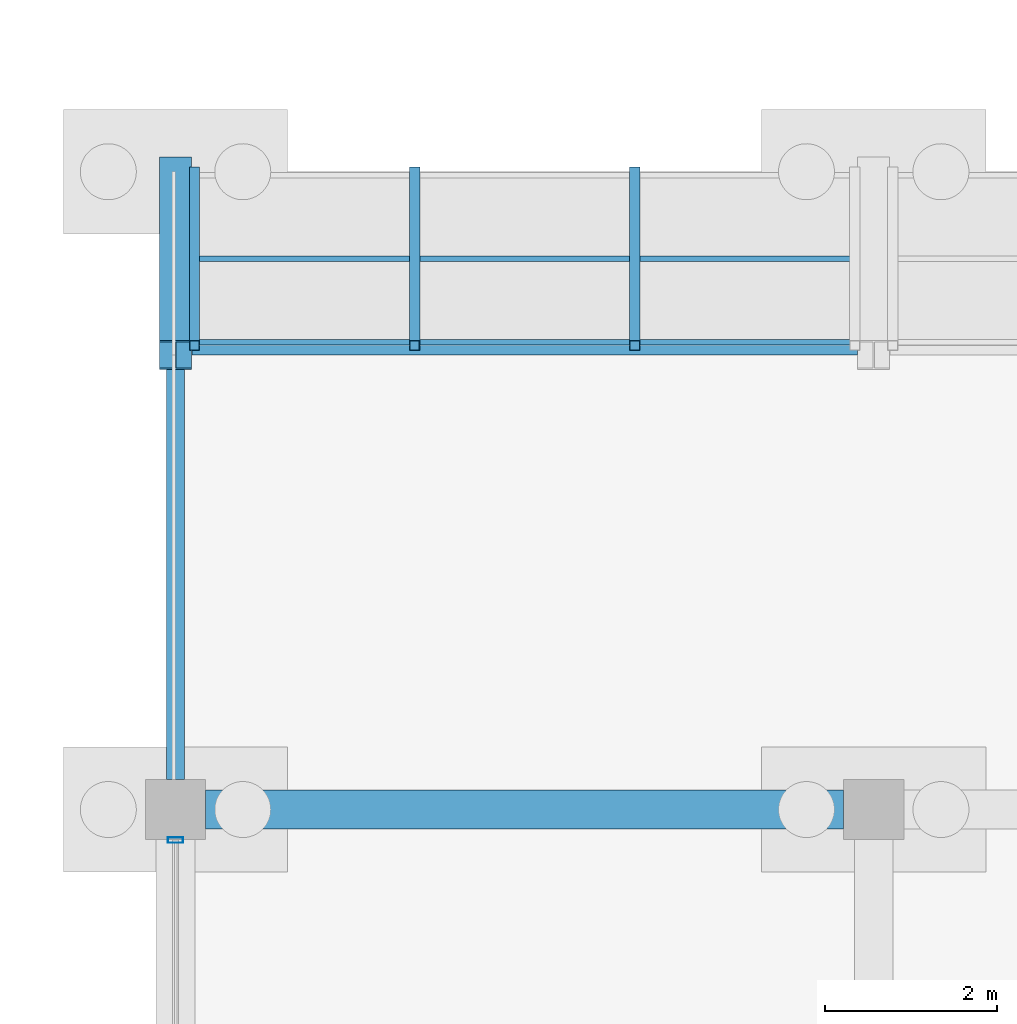
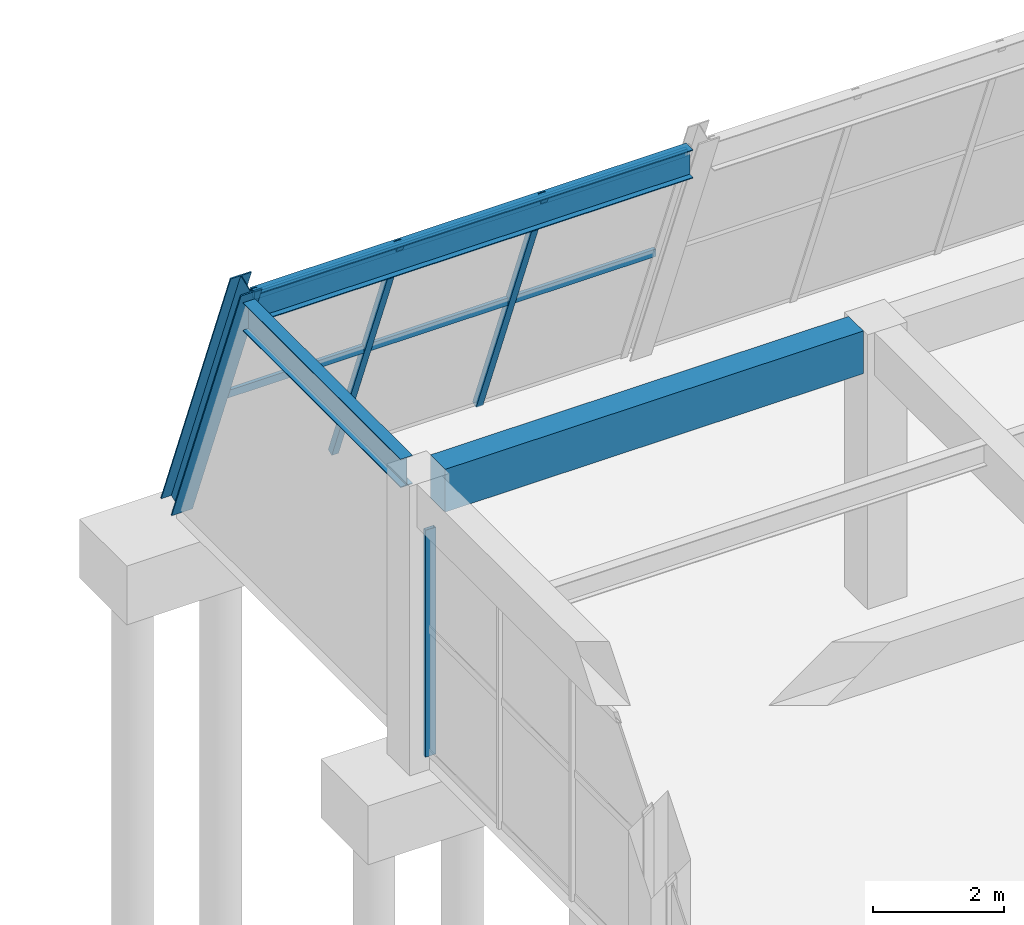
# One storey, part 85 of 140: 7 members, 3 beams, 2 elements without a shape of their own.
"""IFC4 building model written with IfcOpenShell, lengths in metres."""

import ifcopenshell
import ifcopenshell.guid

model = None  # the IFC model being written
_history = None  # IfcOwnerHistory: only IFC2X3 demands one
_inside = {}  # id of a spatial element -> (the spatial element, [elements in it])
_under = {}  # id of a project, library or spatial element -> (it, [spatial elements below it])
_declared = {}  # id of a project -> (the project, [libraries it declares])
_typed = {}  # id of a type object -> (the type object, [elements of that type])
_made_of = {}  # id of a material, layer set ... -> (it, [elements and type objects made of it])


def new_model(schema):
    """Start an empty IFC model of exactly this schema.

    Asked for "IFC4X3", IfcOpenShell would pick the latest addendum, in which some entities
    have other attributes; the version numbers below select the first issue.
    IFC2X3 requires an IfcOwnerHistory on every rooted entity: one is made here for all.
    """
    global model, _history
    if schema == "IFC4X3":
        model = ifcopenshell.file(schema_version=(4, 3, 0, 0))
    else:
        model = ifcopenshell.file(schema=schema)
    _inside.clear()
    _under.clear()
    _declared.clear()
    _typed.clear()
    _made_of.clear()
    _history = None
    if model.schema == "IFC2X3":
        org = make("IfcOrganization", Name="unknown")
        user = make(
            "IfcPersonAndOrganization",
            ThePerson=make("IfcPerson", FamilyName="unknown"),
            TheOrganization=org,
        )
        app = make(
            "IfcApplication",
            ApplicationDeveloper=org,
            Version="unknown",
            ApplicationFullName="unknown",
            ApplicationIdentifier="unknown",
        )
        _history = make(
            "IfcOwnerHistory",
            OwningUser=user,
            OwningApplication=app,
            ChangeAction="ADDED",
            CreationDate=0,
        )
    return model


def make(cls, **values):
    """One entity of the class cls with the attributes given. An attribute that is None is left unset."""
    return model.create_entity(
        cls, **{name: value for name, value in values.items() if value is not None}
    )


def rooted(cls, **values):
    """An entity with a GlobalId (a new one), such as an element, a storey or a relation."""
    return make(cls, GlobalId=ifcopenshell.guid.new(), OwnerHistory=_history, **values)


def si_unit(unit_type, name, prefix=None):
    """IfcSIUnit, for example si_unit("LENGTHUNIT", "METRE", prefix="MILLI")."""
    return make("IfcSIUnit", UnitType=unit_type, Prefix=prefix, Name=name)


def assignment(units):
    """IfcUnitAssignment: the units of a project."""
    return None if units is None else make("IfcUnitAssignment", Units=units)


def point(xyz):
    """IfcCartesianPoint."""
    return None if xyz is None else make("IfcCartesianPoint", Coordinates=xyz)


def direction(xyz):
    """IfcDirection."""
    return None if xyz is None else make("IfcDirection", DirectionRatios=xyz)


def frame(location, z_axis=None, x_axis=None):
    """IfcAxis2Placement3D, a coordinate frame: its origin and axes. An axis left out is left unset."""
    return make(
        "IfcAxis2Placement3D",
        Location=point(location),
        Axis=direction(z_axis),
        RefDirection=direction(x_axis),
    )


def frame_2d(location, x_axis=None):
    """IfcAxis2Placement2D, a coordinate frame in the plane: its origin and x axis."""
    return make(
        "IfcAxis2Placement2D", Location=point(location), RefDirection=direction(x_axis)
    )


def origin():
    """The frame at (0, 0, 0) with its axes left unset."""
    return frame((0.0, 0.0, 0.0))


def origin_2d():
    """The frame at (0, 0) in the plane with its x axis left unset."""
    return frame_2d((0.0, 0.0))


def place(relative_to, where):
    """IfcLocalPlacement: puts the frame where relative to a parent placement (None: the world)."""
    return make(
        "IfcLocalPlacement", PlacementRelTo=relative_to, RelativePlacement=where
    )


def context(
    kind, dimensions, precision=None, world=None, true_north=None, identifier=None
):
    """IfcGeometricRepresentationContext, for example the 3D "Model" context."""
    return make(
        "IfcGeometricRepresentationContext",
        ContextIdentifier=identifier,
        ContextType=kind,
        CoordinateSpaceDimension=dimensions,
        Precision=precision,
        WorldCoordinateSystem=world,
        TrueNorth=true_north,
    )


def subcontext(parent, identifier, kind, view, scale=None):
    """IfcGeometricRepresentationSubContext, for example "Body" below "Model"."""
    return make(
        "IfcGeometricRepresentationSubContext",
        ContextIdentifier=identifier,
        ContextType=kind,
        ParentContext=parent,
        TargetScale=scale,
        TargetView=view,
    )


def project(units=None, contexts=None):
    """IfcProject with its units and contexts."""
    return rooted(
        "IfcProject",
        Name="project",
        RepresentationContexts=contexts,
        UnitsInContext=assignment(units),
    )


def spatial(cls, under=None, at=None, **own):
    """A site, building, storey or space (cls), placed at a placement, below another one or the project."""
    s = rooted(cls, ObjectPlacement=at, **own)
    if under is not None:
        _under.setdefault(under.id(), (under, []))[1].append(s)
    return s


def profile(cls, at=None, kind="AREA", **sizes):
    """A parametric profile (cls). Its sizes go by their IFC names, for example OverallWidth=200.0."""
    return make(cls, ProfileType=kind, Position=at, **sizes)


def rectangle(**sizes):
    """IfcRectangleProfileDef."""
    return profile("IfcRectangleProfileDef", **sizes)


def hollow_rectangle(**sizes):
    """IfcRectangleHollowProfileDef."""
    return profile("IfcRectangleHollowProfileDef", **sizes)


def i_section(**sizes):
    """IfcIShapeProfileDef."""
    return profile("IfcIShapeProfileDef", **sizes)


def extrude(swept, where, along, depth):
    """IfcExtrudedAreaSolid: the profile swept, set in the frame where, extruded along a direction by depth."""
    return make(
        "IfcExtrudedAreaSolid",
        SweptArea=swept,
        Position=where,
        ExtrudedDirection=direction(along),
        Depth=depth,
    )


def shape(context_of_items, identifier, shape_type, items):
    """IfcShapeRepresentation: the items that make up one representation, for example the "Body"."""
    return make(
        "IfcShapeRepresentation",
        ContextOfItems=context_of_items,
        RepresentationIdentifier=identifier,
        RepresentationType=shape_type,
        Items=items,
    )


def material(Name=None, Category=None):
    """IfcMaterial."""
    return make("IfcMaterial", Name=Name, Category=Category)


def material_profile(
    of_material, cross_section, Name=None, Category=None, Priority=None
):
    """IfcMaterialProfile: a cross section and its material."""
    return make(
        "IfcMaterialProfile",
        Name=Name,
        Material=of_material,
        Profile=cross_section,
        Priority=Priority,
        Category=Category,
    )


def profile_set(profiles, Name=None, composite=None):
    """IfcMaterialProfileSet."""
    return make(
        "IfcMaterialProfileSet",
        Name=Name,
        MaterialProfiles=profiles,
        CompositeProfile=composite,
    )


def made_of(thing, what):
    """Note that an element or type object is made of a material, layer set ...; save() writes the relation."""
    if what is not None:
        _made_of.setdefault(what.id(), (what, []))[1].append(thing)
    return thing


def type_object(cls, material=None, **own):
    """A type object (cls), such as IfcWallType, which elements share."""
    return made_of(rooted(cls, **own), material)


def element(
    cls,
    number,
    at=None,
    inside=None,
    cuts=None,
    type_object=None,
    material=None,
    context=None,
    identifier="Body",
    shape_type=None,
    held_by="IfcProductDefinitionShape",
    body=None,
    shapes=None,
    **own,
):
    """One element of the class cls, such as IfcWall. Its Tag is "e" and its number.

    at: its placement. inside: the storey or other place that contains it. cuts: it is an
    opening in that element (IfcRelVoidsElement). A single representation is given by context,
    identifier, shape_type and body (its items); several are given by shapes. held_by: the class
    of the entity that holds the representations. save() writes the other relations.
    """
    e = rooted(cls, Tag="e%d" % number, ObjectPlacement=at, **own)
    if body is not None:
        shapes = [shape(context, identifier, shape_type, body)]
    if shapes is not None:
        e.Representation = make(held_by, Representations=shapes)
    if inside is not None:
        _inside.setdefault(inside.id(), (inside, []))[1].append(e)
    if cuts is not None:
        rooted(
            "IfcRelVoidsElement", RelatingBuildingElement=cuts, RelatedOpeningElement=e
        )
    if type_object is not None:
        _typed.setdefault(type_object.id(), (type_object, []))[1].append(e)
    return made_of(e, material)


def aggregate(whole, parts):
    """IfcRelAggregates: a whole, such as a stair, and the parts it consists of."""
    return rooted("IfcRelAggregates", RelatingObject=whole, RelatedObjects=parts)


def save(model, path):
    """Write the relations noted so far, then the file.

    IfcRelAggregates (storeys below a building ...), IfcRelContainedInSpatialStructure (elements
    in a storey), IfcRelDefinesByType, IfcRelAssociatesMaterial and IfcRelDeclares: one each for
    every whole, place, type object, material and project.
    """
    for whole, parts in _under.values():
        aggregate(whole, parts)
    for where, things in _inside.values():
        rooted(
            "IfcRelContainedInSpatialStructure",
            RelatedElements=things,
            RelatingStructure=where,
        )
    for kind, things in _typed.values():
        rooted("IfcRelDefinesByType", RelatedObjects=things, RelatingType=kind)
    for what, things in _made_of.values():
        rooted("IfcRelAssociatesMaterial", RelatedObjects=things, RelatingMaterial=what)
    for by, libraries in _declared.values():
        rooted("IfcRelDeclares", RelatingContext=by, RelatedDefinitions=libraries)
    model.write(path)


model = new_model("IFC4")

# Units and contexts
model_context = context("Model", 3, precision=1e-05, world=origin(), true_north=direction((0.0, 1.0)))
body_context = subcontext(model_context, "Body", "Model", "MODEL_VIEW")
ifc_project = project(units=[si_unit("LENGTHUNIT", "METRE"), si_unit("AREAUNIT", "SQUARE_METRE"), si_unit("VOLUMEUNIT", "CUBIC_METRE"), si_unit("PLANEANGLEUNIT", "RADIAN"), si_unit("MASSUNIT", "GRAM", prefix="KILO")], contexts=[model_context])

# Site, building, storey
site_placement = place(None, origin())
site = spatial("IfcSite", under=ifc_project, at=site_placement, CompositionType="ELEMENT")
building_placement = place(site_placement, origin())
building = spatial("IfcBuilding", under=site, at=building_placement, Name="Cimatlan Art Gallery", CompositionType="ELEMENT")
storey_placement = place(building_placement, origin())
storey = spatial("IfcBuildingStorey", under=building, at=storey_placement, Name="L00", CompositionType="ELEMENT", Elevation=0.0)

# Beams
ifc_material_1 = material(Name="Concrete C40/50", Category="concrete")
ifc_material_profile_1 = material_profile(ifc_material_1, rectangle(XDim=0.449951171875, YDim=0.800048828125, at=origin_2d()), Name="RC450X800")
ifc_profile_set_1 = profile_set([ifc_material_profile_1], Name="Concrete C40/50")
beam_type_1 = type_object("IfcBeamType", Name="BM-RC-450X800", PredefinedType="BEAM", material=ifc_profile_set_1)
beam_1_placement = place(storey_placement, frame((115.75, 90.5, 4.735107421875), z_axis=(1.0, 0.0, 0.0), x_axis=(0.0, 1.0, 0.0)))
element("IfcBeam", 1, at=beam_1_placement, inside=storey, type_object=beam_type_1, Name="BM-X-L00-14-12", PredefinedType="BEAM", context=body_context, shape_type="SweptSolid", body=[
    extrude(rectangle(XDim=0.449951171875, YDim=0.800048828125, at=origin_2d()), origin(), (0.0, 0.0, 1.0), 7.39990234375),
])
ifc_material_2 = material(Name="Steel ASTM A992 Grade 50", Category="steel")
ifc_material_profile_2 = material_profile(ifc_material_2, i_section(OverallWidth=0.2099609375, OverallDepth=0.532958984375, WebThickness=0.01025390625, FlangeThickness=0.015625, at=origin_2d()), Name="W21X62")
ifc_profile_set_2 = profile_set([ifc_material_profile_2], Name="Steel ASTM A992 Grade 50")
beam_type_2 = type_object("IfcBeamType", Name="BM-STL-W21X62", PredefinedType="BEAM", material=ifc_profile_set_2)
beam_2_placement = place(storey_placement, frame((115.590087890625, 95.877197265625, 4.868408203125), z_axis=(1.0, 0.0, 0.0), x_axis=(0.0, 1.0, 0.0)))
element("IfcBeam", 2, at=beam_2_placement, inside=storey, type_object=beam_type_2, Name="BM-PRW-X-L00-B4-14", PredefinedType="BEAM", context=body_context, shape_type="SweptSolid", body=[
    extrude(i_section(OverallWidth=0.2099609375, OverallDepth=0.532958984375, WebThickness=0.01025390625, FlangeThickness=0.015625, at=origin_2d()), origin(), (0.0, 0.0, 1.0), 7.719970703125),
])
beam_3_placement = place(storey_placement, frame((115.39990234375, 90.85009765625, 4.868408203125), z_axis=(0.0, 1.0, 0.0), x_axis=(-1.0, 0.0, 0.0)))
element("IfcBeam", 3, at=beam_3_placement, inside=storey, type_object=beam_type_2, Name="BM-PRW-Y-L00-B4-14", PredefinedType="BEAM", context=body_context, shape_type="SweptSolid", body=[
    extrude(i_section(OverallWidth=0.2099609375, OverallDepth=0.532958984375, WebThickness=0.01025390625, FlangeThickness=0.015625, at=origin_2d()), origin(), (0.0, 0.0, 1.0), 4.837158203125),
])

# Curtain wall, member
ifc_material_3 = material(Name="Anodised bronze unitised curtain wall")
curtain_wall_type_1 = type_object("IfcCurtainWallType", Name="CW-V-06692X04245-B3", PredefinedType="NOTDEFINED", material=ifc_material_3)
curtain_wall_1_placement = place(storey_placement, origin())
curtain_wall_1 = element("IfcCurtainWall", 4, at=curtain_wall_1_placement, inside=storey, type_object=curtain_wall_type_1, Name="CW-L00-14-11-W", PredefinedType="NOTDEFINED")
ifc_material_4 = material(Name="Anodised bronze aluminium 6063-T6", Category="aluminium")
ifc_material_profile_3 = material_profile(ifc_material_4, hollow_rectangle(XDim=0.06494140625, YDim=0.179931640625, WallThickness=0.00390625, at=origin_2d()), Name="ALU65X180X4")
ifc_profile_set_3 = profile_set([ifc_material_profile_3], Name="Anodised bronze aluminium 6063-T6")
member_type_1 = type_object("IfcMemberType", Name="CW-MUL-180", PredefinedType="MULLION", material=ifc_profile_set_3)
member_1_placement = place(storey_placement, frame((115.39990234375, 90.14599609375, 0.0), z_axis=(0.0, 0.0, 1.0), x_axis=(0.0, 1.0, 0.0)))
member_1 = element("IfcMember", 5, at=member_1_placement, type_object=member_type_1, Name="CW-L00-14-11-W-M4", PredefinedType="MULLION", context=body_context, shape_type="SweptSolid", body=[
    extrude(hollow_rectangle(XDim=0.06494140625, YDim=0.179931640625, WallThickness=0.00390625, at=origin_2d()), origin(), (0.0, 0.0, 1.0), 4.2451171875),
])
aggregate(curtain_wall_1, [member_1])

# Curtain wall, members
ifc_material_5 = material(Name="Raked steel-and-bronze lancet curtain wall", Category="steel")
curtain_wall_type_2 = type_object("IfcCurtainWallType", Name="CW-RAK-07660X05503-B3", PredefinedType="NOTDEFINED", material=ifc_material_5)
curtain_wall_2_placement = place(storey_placement, origin())
curtain_wall_2 = element("IfcCurtainWall", 6, at=curtain_wall_2_placement, inside=storey, type_object=curtain_wall_type_2, Name="CW-PROW-L00-B4-14", PredefinedType="NOTDEFINED")
ifc_material_6 = material(Name="Steel ASTM A500 Grade C", Category="steel")
ifc_material_profile_4 = material_profile(ifc_material_6, hollow_rectangle(XDim=0.1201171875, YDim=0.1201171875, WallThickness=0.00634765625, at=origin_2d()), Name="HSS120X120X6")
ifc_profile_set_4 = profile_set([ifc_material_profile_4], Name="Steel ASTM A500 Grade C")
member_type_2 = type_object("IfcMemberType", Name="CW-MUL-RAK", PredefinedType="MULLION", material=ifc_profile_set_4)
member_2_placement = place(storey_placement, frame((115.6201171875, 97.89990234375, 0.0), z_axis=(0.0, -0.366459344578, 0.930434064709), x_axis=(1.0, 0.0, 0.0)))
member_2 = element("IfcMember", 7, at=member_2_placement, type_object=member_type_2, Name="CW-PROW-L00-B4-14-M1", PredefinedType="MULLION", context=body_context, shape_type="SweptSolid", body=[
    extrude(hollow_rectangle(XDim=0.1201171875, YDim=0.1201171875, WallThickness=0.00634765625, at=origin_2d()), origin(), (0.0, 0.0, 1.0), 5.5029296875),
])
member_3_placement = place(storey_placement, frame((118.17333984375, 97.89990234375, 0.0), z_axis=(0.0, -0.366459344578, 0.930434064709), x_axis=(1.0, 0.0, 0.0)))
member_3 = element("IfcMember", 8, at=member_3_placement, type_object=member_type_2, Name="CW-PROW-L00-B4-14-M2", PredefinedType="MULLION", context=body_context, shape_type="SweptSolid", body=[
    extrude(hollow_rectangle(XDim=0.1201171875, YDim=0.1201171875, WallThickness=0.00634765625, at=origin_2d()), origin(), (0.0, 0.0, 1.0), 5.5029296875),
])
member_4_placement = place(storey_placement, frame((120.726806640625, 97.89990234375, 0.0), z_axis=(0.0, -0.366459344578, 0.930434064709), x_axis=(1.0, 0.0, 0.0)))
member_4 = element("IfcMember", 9, at=member_4_placement, type_object=member_type_2, Name="CW-PROW-L00-B4-14-M3", PredefinedType="MULLION", context=body_context, shape_type="SweptSolid", body=[
    extrude(hollow_rectangle(XDim=0.1201171875, YDim=0.1201171875, WallThickness=0.00634765625, at=origin_2d()), origin(), (0.0, 0.0, 1.0), 5.5029296875),
])
ifc_material_profile_5 = material_profile(ifc_material_4, hollow_rectangle(XDim=0.06494140625, YDim=0.139892578125, WallThickness=0.00390625, at=origin_2d()), Name="ALU65X140X4")
ifc_profile_set_5 = profile_set([ifc_material_profile_5], Name="Anodised bronze aluminium 6063-T6")
member_type_3 = type_object("IfcMemberType", Name="CW-TRN-140", PredefinedType="USERDEFINED", material=ifc_profile_set_5)
member_5_placement = place(storey_placement, frame((115.6201171875, 96.8916015625, 2.56005859375), z_axis=(1.0, 0.0, 0.0), x_axis=(0.0, 1.0, 0.0)))
member_5 = element("IfcMember", 10, at=member_5_placement, type_object=member_type_3, Name="CW-PROW-L00-B4-14-T2", ObjectType="TRANSOM", PredefinedType="USERDEFINED", context=body_context, shape_type="SweptSolid", body=[
    extrude(hollow_rectangle(XDim=0.06494140625, YDim=0.139892578125, WallThickness=0.00390625, at=origin_2d()), origin(), (0.0, 0.0, 1.0), 7.659912109375),
])
member_6_placement = place(storey_placement, frame((115.6201171875, 95.923583984375, 5.017578125), z_axis=(1.0, 0.0, 0.0), x_axis=(0.0, 1.0, 0.0)))
member_6 = element("IfcMember", 11, at=member_6_placement, type_object=member_type_3, Name="CW-PROW-L00-B4-14-T3", ObjectType="TRANSOM", PredefinedType="USERDEFINED", context=body_context, shape_type="SweptSolid", body=[
    extrude(hollow_rectangle(XDim=0.06494140625, YDim=0.139892578125, WallThickness=0.00390625, at=origin_2d()), origin(), (0.0, 0.0, 1.0), 7.659912109375),
])
aggregate(curtain_wall_2, [member_2, member_3, member_4, member_5, member_6])

# Member
ifc_material_profile_6 = material_profile(ifc_material_2, i_section(OverallWidth=0.37109375, OverallDepth=0.364013671875, WebThickness=0.01318359375, FlangeThickness=0.021728515625, at=origin_2d()), Name="W14X109")
ifc_profile_set_6 = profile_set([ifc_material_profile_6], Name="Steel ASTM A992 Grade 50")
member_type_4 = type_object("IfcMemberType", Name="MBR-RAK-W14X109", PredefinedType="RAFTER", material=ifc_profile_set_6)
member_7_placement = place(storey_placement, frame((115.39990234375, 97.89990234375, 0.0), z_axis=(0.0, -0.366482585354, 0.930424910797), x_axis=(1.0, 0.0, 0.0)))
element("IfcMember", 12, at=member_7_placement, inside=storey, type_object=member_type_4, Name="MBR-RAK-L00-B4-14", PredefinedType="RAFTER", context=body_context, shape_type="SweptSolid", body=[
    extrude(i_section(OverallWidth=0.37109375, OverallDepth=0.364013671875, WebThickness=0.01318359375, FlangeThickness=0.021728515625, at=origin_2d()), origin(), (0.0, 0.0, 1.0), 5.8037109375),
])

save(model, "model.ifc")
